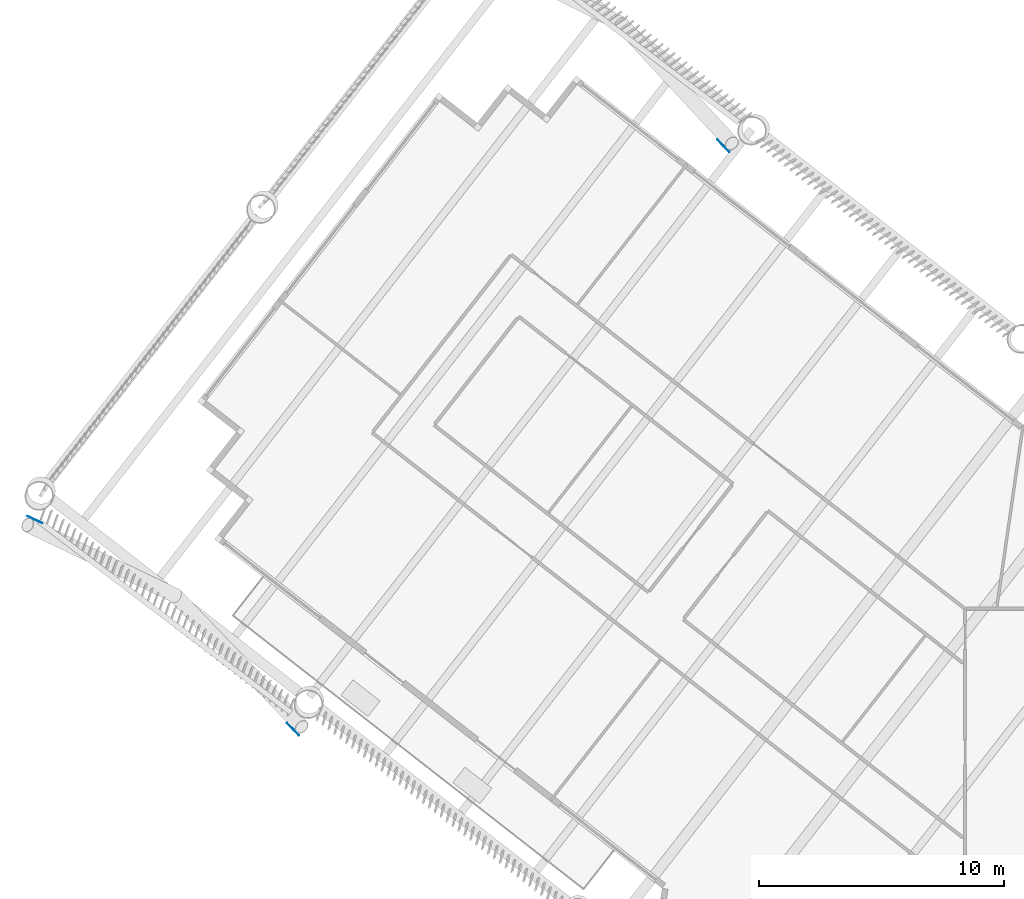
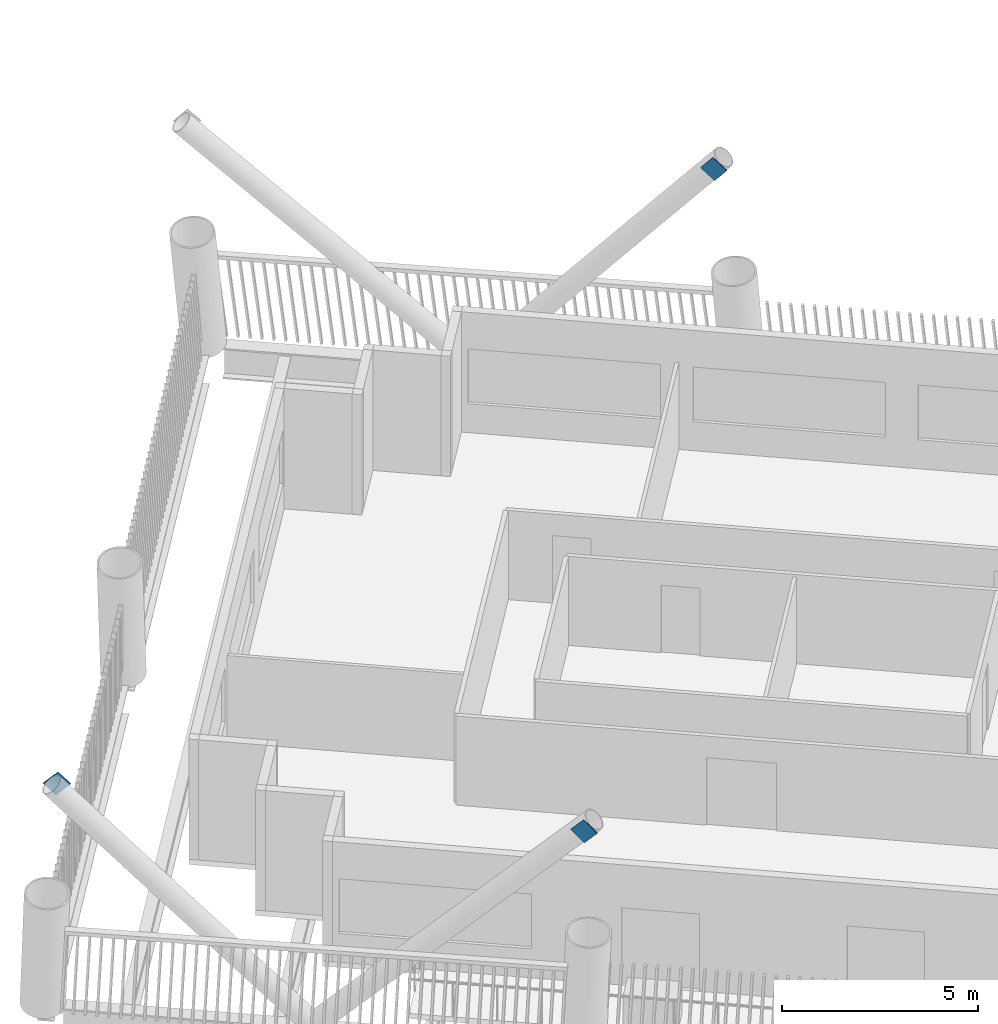
# One storey, part 11 of 22: 3 discrete accessories.
"""IFC4 building model written with IfcOpenShell, lengths in metres."""

from ifc_helpers import new_model, si_unit, direction, frame, origin, origin_2d, place, context, subcontext, project, spatial, rectangle, extrude, material, material_profile, profile_set, type_object, element, save


model = new_model("IFC4")

# Units and contexts
model_context = context("Model", 3, precision=1e-05, world=origin(), true_north=direction((0.0, 1.0)))
body_context = subcontext(model_context, "Body", "Model", "MODEL_VIEW")
ifc_project = project(units=[si_unit("LENGTHUNIT", "METRE"), si_unit("AREAUNIT", "SQUARE_METRE"), si_unit("VOLUMEUNIT", "CUBIC_METRE"), si_unit("PLANEANGLEUNIT", "RADIAN"), si_unit("MASSUNIT", "GRAM", prefix="KILO")], contexts=[model_context])

# Site, building, storey
site_placement = place(None, origin())
site = spatial("IfcSite", under=ifc_project, at=site_placement, CompositionType="ELEMENT")
building_placement = place(site_placement, origin())
building = spatial("IfcBuilding", under=site, at=building_placement, Name="Tarsis Ring Headquarters", CompositionType="ELEMENT")
storey_placement = place(building_placement, frame((0.0, 0.0, 116.199951171875)))
storey = spatial("IfcBuildingStorey", under=building, at=storey_placement, Name="L26", CompositionType="ELEMENT", Elevation=116.199951171875)

# Discrete accessories
ifc_material = material(Name="Structural steel S355", Category="steel")
ifc_material_profile = material_profile(ifc_material, rectangle(XDim=0.02490234375, YDim=0.5, at=origin_2d()), Name="PL 25x500")
ifc_profile_set = profile_set([ifc_material_profile], Name="Structural steel S355")
discrete_accessory_type = type_object("IfcDiscreteAccessoryType", Name="Gusset plate Exo brace 25", PredefinedType="BRACKET", material=ifc_profile_set)
discrete_accessory_placement = place(storey_placement, frame((-22.7587890625, 34.779296875, 7.800048828125), z_axis=(-0.44080180116, 0.475948788628, -0.761029909201), x_axis=(-0.733677305547, -0.679498058368, 0.0)))
element("IfcDiscreteAccessory", 1, at=discrete_accessory_placement, inside=storey, type_object=discrete_accessory_type, Name="Gusset plate GP5", PredefinedType="BRACKET", context=body_context, shape_type="SweptSolid", body=[
    extrude(rectangle(XDim=0.02490234375, YDim=0.5, at=origin_2d()), origin(), (0.0, 0.0, 1.0), 0.500244140625),
])
for number, where, z_axis, x_axis, name in (
    (2, (-40.31982421875, 10.9501953125, 7.800048828125), (-0.478471080241, 0.497512276292, -0.723565449916), (-0.720765101607, -0.693179391143, 0.0), "Gusset plate GP5"),
    (3, (-51.14404296875, 19.706298828125, 7.800048828125), (0.586893003985, -0.281239908732, -0.75925010083), (0.432145603579, 0.901803846358, 0.0), "Gusset plate GP5"),
):
    element("IfcDiscreteAccessory", number, at=place(storey_placement, frame(where, z_axis=z_axis, x_axis=x_axis)), inside=storey, type_object=discrete_accessory_type, Name=name, PredefinedType="BRACKET", context=body_context, shape_type="SweptSolid", body=[
        extrude(rectangle(XDim=0.02490234375, YDim=0.5, at=origin_2d()), origin(), (0.0, 0.0, 1.0), 0.5),
    ])

save(model, "model.ifc")
